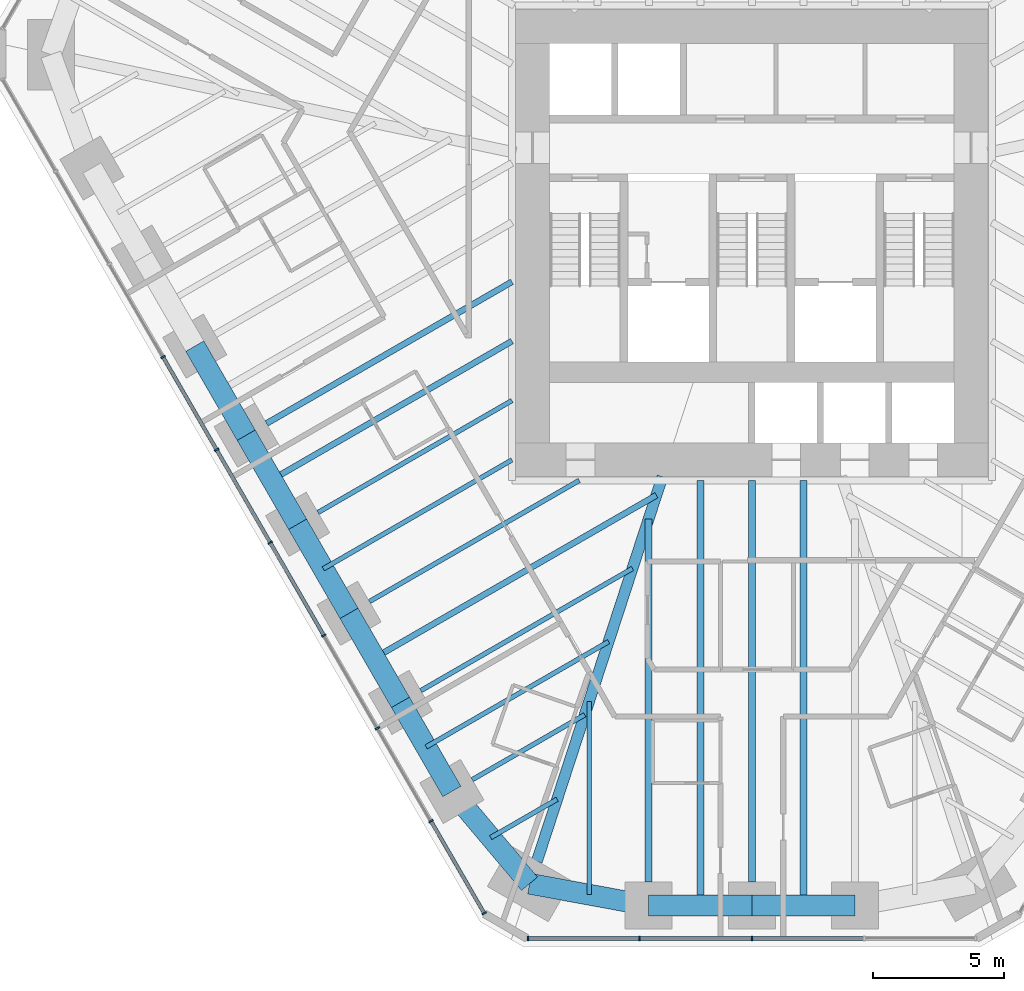
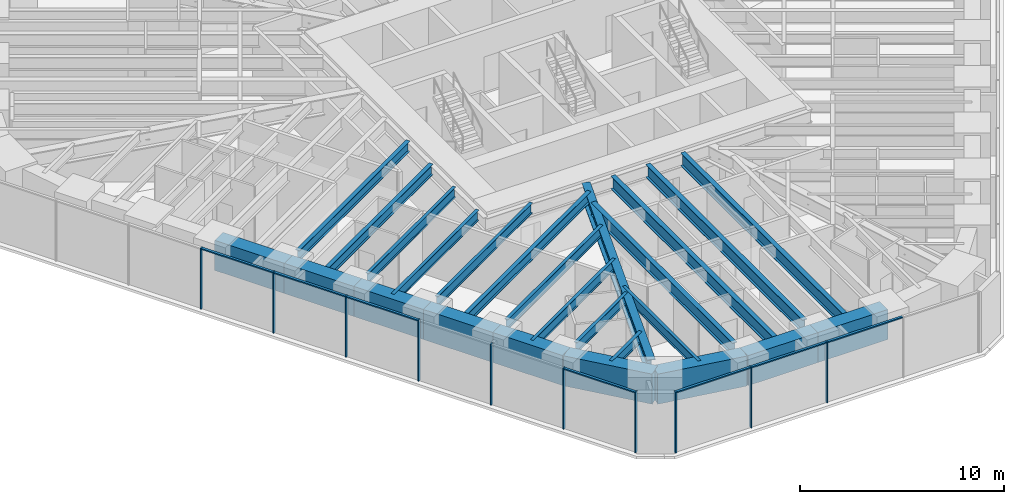
# One storey, part 2 of 16: 25 beams, 17 members, 2 elements without a shape of their own.
"""IFC4 building model written with IfcOpenShell, lengths in metres."""

from ifc_helpers import new_model, si_unit, direction, frame, origin, origin_2d, place, context, subcontext, project, spatial, rectangle, i_section, extrude, material, material_profile, profile_set, type_object, element, aggregate, save


model = new_model("IFC4")

# Units and contexts
model_context = context("Model", 3, precision=1e-05, world=origin(), true_north=direction((0.0, 1.0)))
body_context = subcontext(model_context, "Body", "Model", "MODEL_VIEW")
ifc_project = project(units=[si_unit("LENGTHUNIT", "METRE"), si_unit("AREAUNIT", "SQUARE_METRE"), si_unit("VOLUMEUNIT", "CUBIC_METRE"), si_unit("PLANEANGLEUNIT", "RADIAN"), si_unit("MASSUNIT", "GRAM", prefix="KILO")], contexts=[model_context])

# Site, building, storey
site_placement = place(None, origin())
site = spatial("IfcSite", under=ifc_project, at=site_placement, CompositionType="ELEMENT")
building_placement = place(site_placement, origin())
building = spatial("IfcBuilding", under=site, at=building_placement, Name="Sandreach Pilgrim Tower", CompositionType="ELEMENT")
storey_placement = place(building_placement, frame((0.0, 0.0, 131.0)))
storey = spatial("IfcBuildingStorey", under=building, at=storey_placement, Name="L32", CompositionType="ELEMENT", Elevation=131.0)

# Curtain wall, members
ifc_material_1 = material(Name="Aluminium framed curtain wall", Category="aluminium")
curtain_wall_type = type_object("IfcCurtainWallType", Name="Hotel tower curtain wall", PredefinedType="NOTDEFINED", material=ifc_material_1)
curtain_wall_1_placement = place(storey_placement, origin())
curtain_wall_1 = element("IfcCurtainWall", 1, at=curtain_wall_1_placement, inside=storey, type_object=curtain_wall_type, Name="CW-2 L32 S", PredefinedType="NOTDEFINED")
ifc_material_2 = material(Name="Aluminium extrusion", Category="aluminium")
ifc_material_profile_1 = material_profile(ifc_material_2, rectangle(XDim=0.06494140625, YDim=0.179931640625, at=origin_2d()), Name="CW-2M 65X180")
ifc_profile_set_1 = profile_set([ifc_material_profile_1], Name="Aluminium extrusion")
member_type_1 = type_object("IfcMemberType", Name="CW-2 mullion", PredefinedType="MULLION", material=ifc_profile_set_1)
member_1_placement = place(storey_placement, frame((0.0, -28.192138671875, 0.0), z_axis=(0.0, 0.0, 1.0), x_axis=(-1.0, 0.0, 0.0)))
member_1 = element("IfcMember", 2, at=member_1_placement, type_object=member_type_1, Name="CW-2 mullion 3", PredefinedType="MULLION", context=body_context, shape_type="SweptSolid", body=[
    extrude(rectangle(XDim=0.06494140625, YDim=0.179931640625, at=origin_2d()), origin(), (0.0, 0.0, 1.0), 3.639892578125),
])
member_2_placement = place(storey_placement, frame((-4.3056640625, -28.192138671875, 0.0), z_axis=(0.0, 0.0, 1.0), x_axis=(-1.0, 0.0, 0.0)))
member_2 = element("IfcMember", 3, at=member_2_placement, type_object=member_type_1, Name="CW-2 mullion 4", PredefinedType="MULLION", context=body_context, shape_type="SweptSolid", body=[
    extrude(rectangle(XDim=0.06494140625, YDim=0.179931640625, at=origin_2d()), origin(), (0.0, 0.0, 1.0), 3.639892578125),
])
member_3_placement = place(storey_placement, frame((-8.578857421875, -28.192138671875, 0.0), z_axis=(0.0, 0.0, 1.0), x_axis=(-1.0, 0.0, 0.0)))
member_3 = element("IfcMember", 4, at=member_3_placement, type_object=member_type_1, Name="CW-2 mullion 5", PredefinedType="MULLION", context=body_context, shape_type="SweptSolid", body=[
    extrude(rectangle(XDim=0.06494140625, YDim=0.179931640625, at=origin_2d()), origin(), (0.0, 0.0, 1.0), 3.639892578125),
])

curtain_wall_2_placement = place(storey_placement, origin())
curtain_wall_2 = element("IfcCurtainWall", 5, at=curtain_wall_2_placement, inside=storey, type_object=curtain_wall_type, Name="CW-2 L32 SW", PredefinedType="NOTDEFINED")
member_4_placement = place(storey_placement, frame((-10.255859375, -27.22412109375, 0.0), z_axis=(0.0, 0.0, 1.0), x_axis=(-0.5, 0.866025403784, 0.0)))
member_4 = element("IfcMember", 6, at=member_4_placement, type_object=member_type_1, Name="CW-2 mullion 1", PredefinedType="MULLION", context=body_context, shape_type="SweptSolid", body=[
    extrude(rectangle(XDim=0.06494140625, YDim=0.179931640625, at=origin_2d()), origin(), (0.0, 0.0, 1.0), 3.639892578125),
])
member_5_placement = place(storey_placement, frame((-12.29296875, -23.695556640625, 0.0), z_axis=(0.0, 0.0, 1.0), x_axis=(-0.5, 0.866025403784, 0.0)))
member_5 = element("IfcMember", 7, at=member_5_placement, type_object=member_type_1, Name="CW-2 mullion 2", PredefinedType="MULLION", context=body_context, shape_type="SweptSolid", body=[
    extrude(rectangle(XDim=0.06494140625, YDim=0.179931640625, at=origin_2d()), origin(), (0.0, 0.0, 1.0), 3.639892578125),
])
member_6_placement = place(storey_placement, frame((-14.346435546875, -20.138671875, 0.0), z_axis=(0.0, 0.0, 1.0), x_axis=(-0.5, 0.866025403784, 0.0)))
member_6 = element("IfcMember", 8, at=member_6_placement, type_object=member_type_1, Name="CW-2 mullion 3", PredefinedType="MULLION", context=body_context, shape_type="SweptSolid", body=[
    extrude(rectangle(XDim=0.06494140625, YDim=0.179931640625, at=origin_2d()), origin(), (0.0, 0.0, 1.0), 3.639892578125),
])
member_7_placement = place(storey_placement, frame((-16.39990234375, -16.58203125, 0.0), z_axis=(0.0, 0.0, 1.0), x_axis=(-0.5, 0.866025403784, 0.0)))
member_7 = element("IfcMember", 9, at=member_7_placement, type_object=member_type_1, Name="CW-2 mullion 4", PredefinedType="MULLION", context=body_context, shape_type="SweptSolid", body=[
    extrude(rectangle(XDim=0.06494140625, YDim=0.179931640625, at=origin_2d()), origin(), (0.0, 0.0, 1.0), 3.639892578125),
])
member_8_placement = place(storey_placement, frame((-18.453369140625, -13.025146484375, 0.0), z_axis=(0.0, 0.0, 1.0), x_axis=(-0.5, 0.866025403784, 0.0)))
member_8 = element("IfcMember", 10, at=member_8_placement, type_object=member_type_1, Name="CW-2 mullion 5", PredefinedType="MULLION", context=body_context, shape_type="SweptSolid", body=[
    extrude(rectangle(XDim=0.06494140625, YDim=0.179931640625, at=origin_2d()), origin(), (0.0, 0.0, 1.0), 3.639892578125),
])
member_9_placement = place(storey_placement, frame((-20.5068359375, -9.468505859375, 0.0), z_axis=(0.0, 0.0, 1.0), x_axis=(-0.5, 0.866025403784, 0.0)))
member_9 = element("IfcMember", 11, at=member_9_placement, type_object=member_type_1, Name="CW-2 mullion 6", PredefinedType="MULLION", context=body_context, shape_type="SweptSolid", body=[
    extrude(rectangle(XDim=0.06494140625, YDim=0.179931640625, at=origin_2d()), origin(), (0.0, 0.0, 1.0), 3.639892578125),
])
member_10_placement = place(storey_placement, frame((-22.560302734375, -5.911865234375, 0.0), z_axis=(0.0, 0.0, 1.0), x_axis=(-0.5, 0.866025403784, 0.0)))
member_10 = element("IfcMember", 12, at=member_10_placement, type_object=member_type_1, Name="CW-2 mullion 7", PredefinedType="MULLION", context=body_context, shape_type="SweptSolid", body=[
    extrude(rectangle(XDim=0.06494140625, YDim=0.179931640625, at=origin_2d()), origin(), (0.0, 0.0, 1.0), 3.639892578125),
])

# Member
ifc_material_3 = material(Name="Aluminium extrusion", Category="aluminium")
ifc_material_profile_2 = material_profile(ifc_material_3, rectangle(XDim=0.139892578125, YDim=0.070068359375, at=origin_2d()), Name="CW-2T 140X70")
ifc_profile_set_2 = profile_set([ifc_material_profile_2], Name="Aluminium extrusion")
member_type_2 = type_object("IfcMemberType", Name="CW-2 transom", PredefinedType="USERDEFINED", material=ifc_profile_set_2)
member_11_placement = place(storey_placement, frame((4.273193359375, -28.192138671875, 3.60498046875), z_axis=(-1.0, 0.0, 0.0), x_axis=(0.0, -1.0, 0.0)))
member_11 = element("IfcMember", 13, at=member_11_placement, type_object=member_type_2, Name="CW-2 head transom 2", ObjectType="TRANSOM", PredefinedType="USERDEFINED", context=body_context, shape_type="SweptSolid", body=[
    extrude(rectangle(XDim=0.139892578125, YDim=0.070068359375, at=origin_2d()), origin(), (0.0, 0.0, 1.0), 4.24072265625),
])

member_12_placement = place(storey_placement, frame((-0.032470703125, -28.192138671875, 3.60498046875), z_axis=(-1.0, 0.0, 0.0), x_axis=(0.0, -1.0, 0.0)))
member_12 = element("IfcMember", 14, at=member_12_placement, type_object=member_type_2, Name="CW-2 head transom 3", ObjectType="TRANSOM", PredefinedType="USERDEFINED", context=body_context, shape_type="SweptSolid", body=[
    extrude(rectangle(XDim=0.139892578125, YDim=0.070068359375, at=origin_2d()), origin(), (0.0, 0.0, 1.0), 4.24072265625),
])

member_13_placement = place(storey_placement, frame((-4.338134765625, -28.192138671875, 3.60498046875), z_axis=(-1.0, 0.0, 0.0), x_axis=(0.0, -1.0, 0.0)))
member_13 = element("IfcMember", 15, at=member_13_placement, type_object=member_type_2, Name="CW-2 head transom 4", ObjectType="TRANSOM", PredefinedType="USERDEFINED", context=body_context, shape_type="SweptSolid", body=[
    extrude(rectangle(XDim=0.139892578125, YDim=0.070068359375, at=origin_2d()), origin(), (0.0, 0.0, 1.0), 4.208251953125),
])

aggregate(curtain_wall_1, [member_1, member_2, member_3, member_11, member_12, member_13])

member_14_placement = place(storey_placement, frame((-10.27197265625, -27.196044921875, 3.60498046875), z_axis=(-0.500015851672, 0.866016251624, 0.0), x_axis=(-0.866016251624, -0.500015851672, 0.0)))
member_14 = element("IfcMember", 16, at=member_14_placement, type_object=member_type_2, Name="CW-2 head transom 1", ObjectType="TRANSOM", PredefinedType="USERDEFINED", context=body_context, shape_type="SweptSolid", body=[
    extrude(rectangle(XDim=0.139892578125, YDim=0.070068359375, at=origin_2d()), origin(), (0.0, 0.0, 1.0), 4.009521484375),
])

member_15_placement = place(storey_placement, frame((-16.416259765625, -16.553955078125, 3.60498046875), z_axis=(-0.499997818338, 0.866026663364, 0.0), x_axis=(-0.866026663364, -0.499997818338, 0.0)))
member_15 = element("IfcMember", 17, at=member_15_placement, type_object=member_type_2, Name="CW-2 head transom 4", ObjectType="TRANSOM", PredefinedType="USERDEFINED", context=body_context, shape_type="SweptSolid", body=[
    extrude(rectangle(XDim=0.139892578125, YDim=0.070068359375, at=origin_2d()), origin(), (0.0, 0.0, 1.0), 4.0419921875),
])

member_16_placement = place(storey_placement, frame((-18.4697265625, -12.9970703125, 3.60498046875), z_axis=(-0.499997818338, 0.866026663364, 0.0), x_axis=(-0.866026663364, -0.499997818338, 0.0)))
member_16 = element("IfcMember", 18, at=member_16_placement, type_object=member_type_2, Name="CW-2 head transom 5", ObjectType="TRANSOM", PredefinedType="USERDEFINED", context=body_context, shape_type="SweptSolid", body=[
    extrude(rectangle(XDim=0.139892578125, YDim=0.070068359375, at=origin_2d()), origin(), (0.0, 0.0, 1.0), 4.0419921875),
])

member_17_placement = place(storey_placement, frame((-20.523193359375, -9.4404296875, 3.60498046875), z_axis=(-0.499997818338, 0.866026663364, 0.0), x_axis=(-0.866026663364, -0.499997818338, 0.0)))
member_17 = element("IfcMember", 19, at=member_17_placement, type_object=member_type_2, Name="CW-2 head transom 6", ObjectType="TRANSOM", PredefinedType="USERDEFINED", context=body_context, shape_type="SweptSolid", body=[
    extrude(rectangle(XDim=0.139892578125, YDim=0.070068359375, at=origin_2d()), origin(), (0.0, 0.0, 1.0), 4.0419921875),
])

aggregate(curtain_wall_2, [member_4, member_5, member_6, member_7, member_8, member_9, member_10, member_14, member_15, member_16, member_17])

# Beams
ifc_material_4 = material(Name="Steel ASTM A992 Grade 50", Category="steel")
ifc_material_profile_3 = material_profile(ifc_material_4, i_section(OverallWidth=0.421630859375, OverallDepth=0.95751953125, WebThickness=0.02587890625, FlangeThickness=0.046875, at=origin_2d()), Name="W36X330")
ifc_profile_set_3 = profile_set([ifc_material_profile_3], Name="Steel ASTM A992 Grade 50")
beam_type_1 = type_object("IfcBeamType", Name="Corner girder W36X330", PredefinedType="BEAM", material=ifc_profile_set_3)
beam_1_placement = place(storey_placement, frame((-8.238525390625, -25.23876953125, 3.1611328125), z_axis=(0.310307109519, 0.950636364643, 0.0), x_axis=(-0.950636364643, 0.310307109519, 0.0)))
element("IfcBeam", 20, at=beam_1_placement, inside=storey, type_object=beam_type_1, Name="BM L32 CG26", PredefinedType="BEAM", context=body_context, shape_type="SweptSolid", body=[
    extrude(i_section(OverallWidth=0.421630859375, OverallDepth=0.95751953125, WebThickness=0.02587890625, FlangeThickness=0.046875, at=origin_2d()), origin(), (0.0, 0.0, 1.0), 15.504150390625),
])
ifc_material_5 = material(Name="Steel ASTM A992 Grade 50", Category="steel")
ifc_material_profile_4 = material_profile(ifc_material_5, i_section(OverallWidth=0.1787109375, OverallDepth=0.60205078125, WebThickness=0.010986328125, FlangeThickness=0.014892578125, at=origin_2d()), Name="W24X62")
ifc_profile_set_4 = profile_set([ifc_material_profile_4], Name="Steel ASTM A992 Grade 50")
beam_type_2 = type_object("IfcBeamType", Name="Floor beam W24X62", PredefinedType="BEAM", material=ifc_profile_set_4)
beam_2_placement = place(storey_placement, frame((-10.714599609375, -22.109130859375, 3.339111328125), z_axis=(0.866024645457, 0.500001313459, 0.0), x_axis=(-0.500001313459, 0.866024645457, 0.0)))
element("IfcBeam", 21, at=beam_2_placement, inside=storey, type_object=beam_type_2, Name="BM L32 F27", PredefinedType="BEAM", context=body_context, shape_type="SweptSolid", body=[
    extrude(i_section(OverallWidth=0.1787109375, OverallDepth=0.60205078125, WebThickness=0.010986328125, FlangeThickness=0.014892578125, at=origin_2d()), origin(), (0.0, 0.0, 1.0), 4.9765625),
])
beam_3_placement = place(storey_placement, frame((-12.6845703125, -18.697265625, 3.339111328125), z_axis=(0.866012351917, 0.500022605817, 0.0), x_axis=(-0.500022605817, 0.866012351917, 0.0)))
element("IfcBeam", 22, at=beam_3_placement, inside=storey, type_object=beam_type_2, Name="BM L32 F28", PredefinedType="BEAM", context=body_context, shape_type="SweptSolid", body=[
    extrude(i_section(OverallWidth=0.1787109375, OverallDepth=0.60205078125, WebThickness=0.010986328125, FlangeThickness=0.014892578125, at=origin_2d()), origin(), (0.0, 0.0, 1.0), 9.3642578125),
])
beam_4_placement = place(storey_placement, frame((-14.654541015625, -15.28515625, 3.339111328125), z_axis=(0.866015659929, 0.500016876472, 0.0), x_axis=(-0.500016876472, 0.866015659929, 0.0)))
element("IfcBeam", 23, at=beam_4_placement, inside=storey, type_object=beam_type_2, Name="BM L32 F29", PredefinedType="BEAM", context=body_context, shape_type="SweptSolid", body=[
    extrude(i_section(OverallWidth=0.1787109375, OverallDepth=0.60205078125, WebThickness=0.010986328125, FlangeThickness=0.014892578125, at=origin_2d()), origin(), (0.0, 0.0, 1.0), 9.283447265625),
])
beam_5_placement = place(storey_placement, frame((-16.62451171875, -11.873046875, 3.339111328125), z_axis=(0.866017857595, 0.500013070155, 0.0), x_axis=(-0.500013070155, 0.866017857595, 0.0)))
element("IfcBeam", 24, at=beam_5_placement, inside=storey, type_object=beam_type_2, Name="BM L32 F30", PredefinedType="BEAM", context=body_context, shape_type="SweptSolid", body=[
    extrude(i_section(OverallWidth=0.1787109375, OverallDepth=0.60205078125, WebThickness=0.010986328125, FlangeThickness=0.014892578125, at=origin_2d()), origin(), (0.0, 0.0, 1.0), 8.580810546875),
])
beam_6_placement = place(storey_placement, frame((-6.236572265625, -26.51318359375, 3.339111328125), z_axis=(0.0, 1.0, 0.0), x_axis=(-1.0, 0.0, 0.0)))
element("IfcBeam", 25, at=beam_6_placement, inside=storey, type_object=beam_type_2, Name="BM L32 FM25", PredefinedType="BEAM", context=body_context, shape_type="SweptSolid", body=[
    extrude(i_section(OverallWidth=0.1787109375, OverallDepth=0.60205078125, WebThickness=0.010986328125, FlangeThickness=0.014892578125, at=origin_2d()), origin(), (0.0, 0.0, 1.0), 7.40771484375),
])
beam_7_placement = place(storey_placement, frame((-10.006103515625, -24.326904296875, 3.339111328125), z_axis=(0.866015396618, 0.500017332519, 0.0), x_axis=(-0.500017332519, 0.866015396618, 0.0)))
element("IfcBeam", 26, at=beam_7_placement, inside=storey, type_object=beam_type_2, Name="BM L32 FM26", PredefinedType="BEAM", context=body_context, shape_type="SweptSolid", body=[
    extrude(i_section(OverallWidth=0.1787109375, OverallDepth=0.60205078125, WebThickness=0.010986328125, FlangeThickness=0.014892578125, at=origin_2d()), origin(), (0.0, 0.0, 1.0), 2.9384765625),
])
beam_8_placement = place(storey_placement, frame((-12.47900390625, -20.853271484375, 3.339111328125), z_axis=(0.866017328257, 0.500013986963, 0.0), x_axis=(-0.500013986963, 0.866017328257, 0.0)))
element("IfcBeam", 27, at=beam_8_placement, inside=storey, type_object=beam_type_2, Name="BM L32 FM27", PredefinedType="BEAM", context=body_context, shape_type="SweptSolid", body=[
    extrude(i_section(OverallWidth=0.1787109375, OverallDepth=0.60205078125, WebThickness=0.010986328125, FlangeThickness=0.014892578125, at=origin_2d()), origin(), (0.0, 0.0, 1.0), 8.070556640625),
])
beam_9_placement = place(storey_placement, frame((-16.4189453125, -14.029052734375, 3.339111328125), z_axis=(0.866016009309, 0.500016271356, 0.0), x_axis=(-0.500016271356, 0.866016009309, 0.0)))
element("IfcBeam", 28, at=beam_9_placement, inside=storey, type_object=beam_type_2, Name="BM L32 FM29", PredefinedType="BEAM", context=body_context, shape_type="SweptSolid", body=[
    extrude(i_section(OverallWidth=0.1787109375, OverallDepth=0.60205078125, WebThickness=0.010986328125, FlangeThickness=0.014892578125, at=origin_2d()), origin(), (0.0, 0.0, 1.0), 8.343505859375),
])
ifc_material_6 = material(Name="Steel ASTM A992 Grade 50", Category="steel")
ifc_material_profile_5 = material_profile(ifc_material_6, i_section(OverallWidth=0.23046875, OverallDepth=0.6171875, WebThickness=0.01318359375, FlangeThickness=0.022216796875, at=origin_2d()), Name="W24X94")
ifc_profile_set_5 = profile_set([ifc_material_profile_5], Name="Steel ASTM A992 Grade 50")
beam_type_3 = type_object("IfcBeamType", Name="Floor beam W24X94", PredefinedType="BEAM", material=ifc_profile_set_5)
beam_10_placement = place(storey_placement, frame((-18.594482421875, -8.4609375, 3.331298828125), z_axis=(0.866015926388, 0.500016414973, 0.0), x_axis=(-0.500016414973, 0.866015926388, 0.0)))
element("IfcBeam", 29, at=beam_10_placement, inside=storey, type_object=beam_type_3, Name="BM L32 F31", PredefinedType="BEAM", context=body_context, shape_type="SweptSolid", body=[
    extrude(i_section(OverallWidth=0.23046875, OverallDepth=0.6171875, WebThickness=0.01318359375, FlangeThickness=0.022216796875, at=origin_2d()), origin(), (0.0, 0.0, 1.0), 10.855712890625),
])
beam_11_placement = place(storey_placement, frame((-14.448974609375, -17.441162109375, 3.331298828125), z_axis=(0.866019150617, 0.500010830648, 0.0), x_axis=(-0.500010830648, 0.866019150617, 0.0)))
element("IfcBeam", 30, at=beam_11_placement, inside=storey, type_object=beam_type_3, Name="BM L32 FM28", PredefinedType="BEAM", context=body_context, shape_type="SweptSolid", body=[
    extrude(i_section(OverallWidth=0.23046875, OverallDepth=0.6171875, WebThickness=0.01318359375, FlangeThickness=0.022216796875, at=origin_2d()), origin(), (0.0, 0.0, 1.0), 12.458251953125),
])
beam_12_placement = place(storey_placement, frame((-18.388916015625, -10.616943359375, 3.331298828125), z_axis=(0.866024387147, 0.500001760863, 0.0), x_axis=(-0.500001760863, 0.866024387147, 0.0)))
element("IfcBeam", 31, at=beam_12_placement, inside=storey, type_object=beam_type_3, Name="BM L32 FM30", PredefinedType="BEAM", context=body_context, shape_type="SweptSolid", body=[
    extrude(i_section(OverallWidth=0.23046875, OverallDepth=0.6171875, WebThickness=0.01318359375, FlangeThickness=0.022216796875, at=origin_2d()), origin(), (0.0, 0.0, 1.0), 10.6181640625),
])
ifc_material_7 = material(Name="Steel ASTM A992 Grade 50", Category="steel")
ifc_material_profile_6 = material_profile(ifc_material_7, i_section(OverallWidth=0.2666015625, OverallDepth=0.761962890625, WebThickness=0.014404296875, FlangeThickness=0.021484375, at=origin_2d()), Name="W30X116")
ifc_profile_set_6 = profile_set([ifc_material_profile_6], Name="Steel ASTM A992 Grade 50")
beam_type_4 = type_object("IfcBeamType", Name="Floor beam W30X116", PredefinedType="BEAM", material=ifc_profile_set_6)
beam_13_placement = place(storey_placement, frame((-3.955322265625, -26.0322265625, 3.259033203125), z_axis=(0.0, 1.0, 0.0), x_axis=(-1.0, 0.0, 0.0)))
element("IfcBeam", 32, at=beam_13_placement, inside=storey, type_object=beam_type_4, Name="BM L32 F25", PredefinedType="BEAM", context=body_context, shape_type="SweptSolid", body=[
    extrude(i_section(OverallWidth=0.2666015625, OverallDepth=0.761962890625, WebThickness=0.014404296875, FlangeThickness=0.021484375, at=origin_2d()), origin(), (0.0, 0.0, 1.0), 13.91552734375),
])
ifc_material_8 = material(Name="Steel ASTM A992 Grade 50", Category="steel")
ifc_material_profile_7 = material_profile(ifc_material_8, i_section(OverallWidth=0.2666015625, OverallDepth=0.77978515625, WebThickness=0.0166015625, FlangeThickness=0.030029296875, at=origin_2d()), Name="W30X148")
ifc_profile_set_7 = profile_set([ifc_material_profile_7], Name="Steel ASTM A992 Grade 50")
beam_type_5 = type_object("IfcBeamType", Name="Floor beam W30X148", PredefinedType="BEAM", material=ifc_profile_set_7)
beam_14_placement = place(storey_placement, frame((0.0, -26.0322265625, 3.25), z_axis=(0.0, 1.0, 0.0), x_axis=(-1.0, 0.0, 0.0)))
element("IfcBeam", 33, at=beam_14_placement, inside=storey, type_object=beam_type_5, Name="BM L32 F24", PredefinedType="BEAM", context=body_context, shape_type="SweptSolid", body=[
    extrude(i_section(OverallWidth=0.2666015625, OverallDepth=0.77978515625, WebThickness=0.0166015625, FlangeThickness=0.030029296875, at=origin_2d()), origin(), (0.0, 0.0, 1.0), 15.388916015625),
])
for number, where, z_axis, x_axis, name in (
    (34, (1.9775390625, -26.93212890625, 3.25), (0.0, 1.0, 0.0), (-1.0, 0.0, 0.0), "BM L32 FM23"),
    (35, (-1.9775390625, -26.93212890625, 3.25), (0.0, 1.0, 0.0), (-1.0, 0.0, 0.0), "BM L32 FM24"),
):
    element("IfcBeam", number, at=place(storey_placement, frame(where, z_axis=z_axis, x_axis=x_axis)), inside=storey, type_object=beam_type_5, Name=name, PredefinedType="BEAM", context=body_context, shape_type="SweptSolid", body=[
        extrude(i_section(OverallWidth=0.2666015625, OverallDepth=0.77978515625, WebThickness=0.0166015625, FlangeThickness=0.030029296875, at=origin_2d()), origin(), (0.0, 0.0, 1.0), 16.288818359375),
    ])
ifc_material_9 = material(Name="Concrete 10000 psi", Category="concrete")
ifc_material_profile_8 = material_profile(ifc_material_9, rectangle(XDim=0.800048828125, YDim=1.800048828125, at=origin_2d()), Name="RC800X1800")
ifc_profile_set_8 = profile_set([ifc_material_profile_8], Name="Concrete 10000 psi")
beam_type_6 = type_object("IfcBeamType", Name="Spandrel beam RC800X1800", PredefinedType="SPANDREL", material=ifc_profile_set_8)
for number, where, z_axis, x_axis, name in (
    (36, (3.955322265625, -26.93212890625, 2.739990234375), (-1.0, 0.0, 0.0), (0.0, -1.0, 0.0), "BM L32 SP23"),
    (37, (0.0, -26.93212890625, 2.739990234375), (-1.0, 0.0, 0.0), (0.0, -1.0, 0.0), "BM L32 SP24"),
):
    element("IfcBeam", number, at=place(storey_placement, frame(where, z_axis=z_axis, x_axis=x_axis)), inside=storey, type_object=beam_type_6, Name=name, PredefinedType="SPANDREL", context=body_context, shape_type="SweptSolid", body=[
        extrude(rectangle(XDim=0.800048828125, YDim=1.800048828125, at=origin_2d()), origin(), (0.0, 0.0, 1.0), 3.955322265625),
    ])
beam_15_placement = place(storey_placement, frame((-3.955322265625, -26.93212890625, 2.739990234375), z_axis=(-0.983551746136, 0.180626583516, 0.0), x_axis=(-0.180626583516, -0.983551746136, 0.0)))
element("IfcBeam", 38, at=beam_15_placement, inside=storey, type_object=beam_type_6, Name="BM L32 SP25", PredefinedType="SPANDREL", context=body_context, shape_type="SweptSolid", body=[
    extrude(rectangle(XDim=0.800048828125, YDim=1.800048828125, at=origin_2d()), origin(), (0.0, 0.0, 1.0), 4.638916015625),
])
beam_16_placement = place(storey_placement, frame((-8.517822265625, -26.09423828125, 2.739990234375), z_axis=(-0.644078801547, 0.764959147535, 0.0), x_axis=(-0.764959147535, -0.644078801547, 0.0)))
element("IfcBeam", 39, at=beam_16_placement, inside=storey, type_object=beam_type_6, Name="BM L32 SP26", PredefinedType="SPANDREL", context=body_context, shape_type="SweptSolid", body=[
    extrude(rectangle(XDim=0.800048828125, YDim=1.800048828125, at=origin_2d()), origin(), (0.0, 0.0, 1.0), 4.62109375),
])
for number, where, z_axis, x_axis, name in (
    (40, (-11.494140625, -22.559326171875, 2.739990234375), (-0.49999779889, 0.866026674592, 0.0), (-0.866026674592, -0.49999779889, 0.0), "BM L32 SP27"),
    (41, (-13.464111328125, -19.147216796875, 2.739990234375), (-0.49999779889, 0.866026674592, 0.0), (-0.866026674592, -0.49999779889, 0.0), "BM L32 SP28"),
    (42, (-15.43408203125, -15.735107421875, 2.739990234375), (-0.49999779889, 0.866026674592, 0.0), (-0.866026674592, -0.49999779889, 0.0), "BM L32 SP29"),
    (43, (-17.404052734375, -12.322998046875, 2.739990234375), (-0.49999779889, 0.866026674592, 0.0), (-0.866026674592, -0.49999779889, 0.0), "BM L32 SP30"),
    (44, (-19.3740234375, -8.910888671875, 2.739990234375), (-0.49999779889, 0.866026674592, 0.0), (-0.866026674592, -0.49999779889, 0.0), "BM L32 SP31"),
):
    element("IfcBeam", number, at=place(storey_placement, frame(where, z_axis=z_axis, x_axis=x_axis)), inside=storey, type_object=beam_type_6, Name=name, PredefinedType="SPANDREL", context=body_context, shape_type="SweptSolid", body=[
        extrude(rectangle(XDim=0.800048828125, YDim=1.800048828125, at=origin_2d()), origin(), (0.0, 0.0, 1.0), 3.93994140625),
    ])

save(model, "model.ifc")
